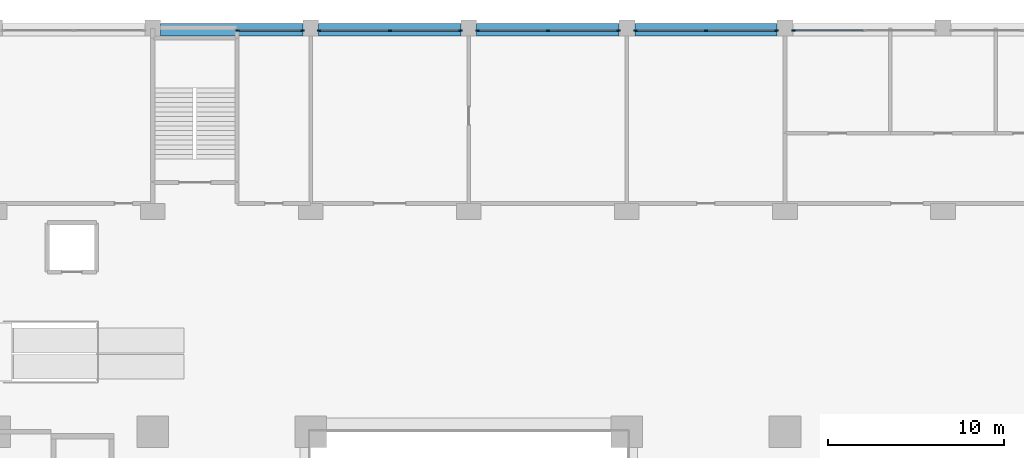
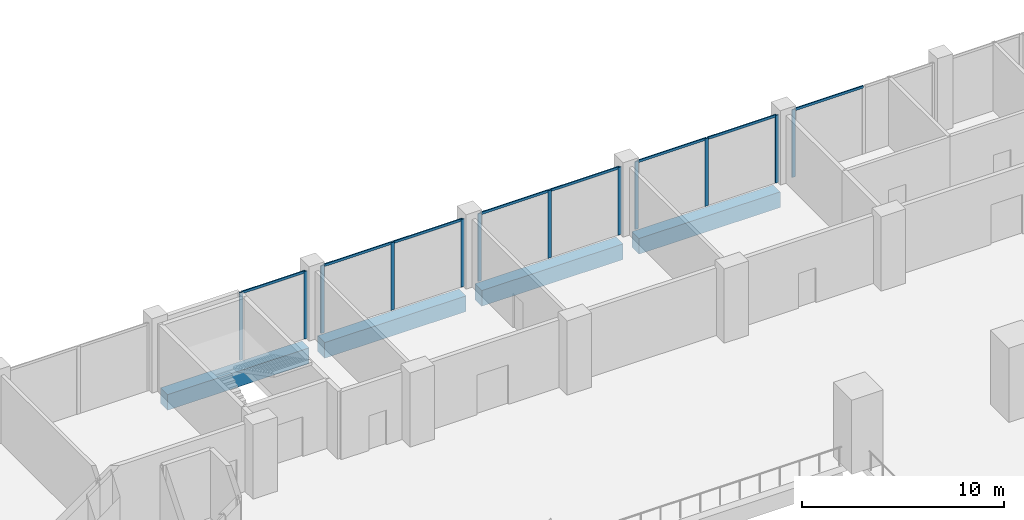
# One storey, part 11 of 22: 20 members, 4 beams, 5 elements without a shape of their own.
"""IFC4 building model written with IfcOpenShell, lengths in metres."""

from ifc_helpers import new_model, si_unit, direction, frame, origin, origin_2d, place, context, subcontext, project, spatial, rectangle, extrude, material, layer, layer_set, material_profile, profile_set, type_object, element, aggregate, save


model = new_model("IFC4")

# Units and contexts
model_context = context("Model", 3, precision=1e-05, world=origin(), true_north=direction((0.0, 1.0)))
body_context = subcontext(model_context, "Body", "Model", "MODEL_VIEW")
ifc_project = project(units=[si_unit("LENGTHUNIT", "METRE"), si_unit("AREAUNIT", "SQUARE_METRE"), si_unit("VOLUMEUNIT", "CUBIC_METRE"), si_unit("PLANEANGLEUNIT", "RADIAN"), si_unit("MASSUNIT", "GRAM", prefix="KILO")], contexts=[model_context])

# Site, building, storey
site_placement = place(None, origin())
site = spatial("IfcSite", under=ifc_project, at=site_placement, CompositionType="ELEMENT")
building_placement = place(site_placement, origin())
building = spatial("IfcBuilding", under=site, at=building_placement, Name="Brigalow Station Residences", CompositionType="ELEMENT")
storey_placement = place(building_placement, frame((0.0, 0.0, 6.5)))
storey = spatial("IfcBuildingStorey", under=building, at=storey_placement, Name="L01", CompositionType="ELEMENT", Elevation=6.5)

# Beams
ifc_material_1 = material(Name="Concrete C65", Category="concrete")
ifc_material_profile_1 = material_profile(ifc_material_1, rectangle(XDim=0.699951171875, YDim=0.949951171875, at=origin_2d()), Name="RC700x950")
ifc_profile_set_1 = profile_set([ifc_material_profile_1], Name="Concrete C65")
beam_type = type_object("IfcBeamType", Name="EDGE GIRDER 4.5 TO 9.9 M SPAN 700x950 C65", PredefinedType="BEAM", material=ifc_profile_set_1)
for number, where, z_axis, x_axis, name in (
    (1, (18.449951171875, 58.39990234375, -0.876953125), (1.0, 0.0, 0.0), (0.0, 1.0, 0.0), "PODIUM EDGE GIRDER N23 L01"),
    (2, (27.449951171875, 58.39990234375, -0.876953125), (1.0, 0.0, 0.0), (0.0, 1.0, 0.0), "PODIUM EDGE GIRDER N24 L01"),
    (3, (36.449951171875, 58.39990234375, -0.876953125), (1.0, 0.0, 0.0), (0.0, 1.0, 0.0), "PODIUM EDGE GIRDER N25 L01"),
    (4, (45.449951171875, 58.39990234375, -0.876953125), (1.0, 0.0, 0.0), (0.0, 1.0, 0.0), "PODIUM EDGE GIRDER N26 L01"),
):
    element("IfcBeam", number, at=place(storey_placement, frame(where, z_axis=z_axis, x_axis=x_axis)), inside=storey, type_object=beam_type, Name=name, PredefinedType="BEAM", context=body_context, shape_type="SweptSolid", body=[
        extrude(rectangle(XDim=0.699951171875, YDim=0.949951171875, at=origin_2d()), origin(), (0.0, 0.0, 1.0), 8.10009765625),
    ])

# Curtain wall, member
ifc_material_2 = material(Name="Aluminium", Category="aluminium")
ifc_layer = layer(ifc_material_2, 0.199951171875)
ifc_layer_set = layer_set([ifc_layer], Name="PODIUM UNITISED GLAZING CURTAIN WALL")
curtain_wall_type = type_object("IfcCurtainWallType", Name="PODIUM UNITISED GLAZING CURTAIN WALL", PredefinedType="NOTDEFINED", material=ifc_layer_set)
curtain_wall_1_placement = place(storey_placement, origin())
curtain_wall_1 = element("IfcCurtainWall", 5, at=curtain_wall_1_placement, inside=storey, type_object=curtain_wall_type, Name="L01/cw/podium-W-L01-19-9", PredefinedType="NOTDEFINED")
ifc_material_3 = material(Name="Aluminium", Category="aluminium")
ifc_material_profile_2 = material_profile(ifc_material_3, rectangle(XDim=0.06494140625, YDim=0.199951171875, at=origin_2d()), Name="PODIUM UNITISED GLAZING MULLION 65x200")
ifc_profile_set_2 = profile_set([ifc_material_profile_2], Name="Aluminium")
member_type_1 = type_object("IfcMemberType", Name="PODIUM UNITISED GLAZING MULLION 65x200", PredefinedType="MULLION", material=ifc_profile_set_2)
member_1_placement = place(storey_placement, frame((54.482421875, 58.35009765625, 0.0), z_axis=(0.0, 0.0, 1.0), x_axis=(0.0, -1.0, 0.0)))
member_1 = element("IfcMember", 6, at=member_1_placement, type_object=member_type_1, Name="L01/cw/podium-W-L01-19-9/M02", PredefinedType="MULLION", context=body_context, shape_type="SweptSolid", body=[
    extrude(rectangle(XDim=0.06494140625, YDim=0.199951171875, at=origin_2d()), origin(), (0.0, 0.0, 1.0), 4.097900390625),
])

# Curtain wall, members
curtain_wall_2_placement = place(storey_placement, origin())
curtain_wall_2 = element("IfcCurtainWall", 7, at=curtain_wall_2_placement, inside=storey, type_object=curtain_wall_type, Name="L01/cw/podium-W-L01-19-10", PredefinedType="NOTDEFINED")
member_2_placement = place(storey_placement, frame((53.517578125, 58.35009765625, 0.0), z_axis=(0.0, 0.0, 1.0), x_axis=(0.0, -1.0, 0.0)))
member_2 = element("IfcMember", 8, at=member_2_placement, type_object=member_type_1, Name="L01/cw/podium-W-L01-19-10/M00", PredefinedType="MULLION", context=body_context, shape_type="SweptSolid", body=[
    extrude(rectangle(XDim=0.06494140625, YDim=0.199951171875, at=origin_2d()), origin(), (0.0, 0.0, 1.0), 4.097900390625),
])
member_3_placement = place(storey_placement, frame((49.5, 58.35009765625, 0.0), z_axis=(0.0, 0.0, 1.0), x_axis=(0.0, -1.0, 0.0)))
member_3 = element("IfcMember", 9, at=member_3_placement, type_object=member_type_1, Name="L01/cw/podium-W-L01-19-10/M01", PredefinedType="MULLION", context=body_context, shape_type="SweptSolid", body=[
    extrude(rectangle(XDim=0.06494140625, YDim=0.199951171875, at=origin_2d()), origin(), (0.0, 0.0, 1.0), 4.097900390625),
])
member_4_placement = place(storey_placement, frame((45.482421875, 58.35009765625, 0.0), z_axis=(0.0, 0.0, 1.0), x_axis=(0.0, -1.0, 0.0)))
member_4 = element("IfcMember", 10, at=member_4_placement, type_object=member_type_1, Name="L01/cw/podium-W-L01-19-10/M02", PredefinedType="MULLION", context=body_context, shape_type="SweptSolid", body=[
    extrude(rectangle(XDim=0.06494140625, YDim=0.199951171875, at=origin_2d()), origin(), (0.0, 0.0, 1.0), 4.097900390625),
])

curtain_wall_3_placement = place(storey_placement, origin())
curtain_wall_3 = element("IfcCurtainWall", 11, at=curtain_wall_3_placement, inside=storey, type_object=curtain_wall_type, Name="L01/cw/podium-W-L01-19-11", PredefinedType="NOTDEFINED")
member_5_placement = place(storey_placement, frame((44.517578125, 58.35009765625, 0.0), z_axis=(0.0, 0.0, 1.0), x_axis=(0.0, -1.0, 0.0)))
member_5 = element("IfcMember", 12, at=member_5_placement, type_object=member_type_1, Name="L01/cw/podium-W-L01-19-11/M00", PredefinedType="MULLION", context=body_context, shape_type="SweptSolid", body=[
    extrude(rectangle(XDim=0.06494140625, YDim=0.199951171875, at=origin_2d()), origin(), (0.0, 0.0, 1.0), 4.097900390625),
])
member_6_placement = place(storey_placement, frame((40.5, 58.35009765625, 0.0), z_axis=(0.0, 0.0, 1.0), x_axis=(0.0, -1.0, 0.0)))
member_6 = element("IfcMember", 13, at=member_6_placement, type_object=member_type_1, Name="L01/cw/podium-W-L01-19-11/M01", PredefinedType="MULLION", context=body_context, shape_type="SweptSolid", body=[
    extrude(rectangle(XDim=0.06494140625, YDim=0.199951171875, at=origin_2d()), origin(), (0.0, 0.0, 1.0), 4.097900390625),
])
member_7_placement = place(storey_placement, frame((36.482421875, 58.35009765625, 0.0), z_axis=(0.0, 0.0, 1.0), x_axis=(0.0, -1.0, 0.0)))
member_7 = element("IfcMember", 14, at=member_7_placement, type_object=member_type_1, Name="L01/cw/podium-W-L01-19-11/M02", PredefinedType="MULLION", context=body_context, shape_type="SweptSolid", body=[
    extrude(rectangle(XDim=0.06494140625, YDim=0.199951171875, at=origin_2d()), origin(), (0.0, 0.0, 1.0), 4.097900390625),
])

curtain_wall_4_placement = place(storey_placement, origin())
curtain_wall_4 = element("IfcCurtainWall", 15, at=curtain_wall_4_placement, inside=storey, type_object=curtain_wall_type, Name="L01/cw/podium-W-L01-19-12", PredefinedType="NOTDEFINED")
member_8_placement = place(storey_placement, frame((35.517578125, 58.35009765625, 0.0), z_axis=(0.0, 0.0, 1.0), x_axis=(0.0, -1.0, 0.0)))
member_8 = element("IfcMember", 16, at=member_8_placement, type_object=member_type_1, Name="L01/cw/podium-W-L01-19-12/M00", PredefinedType="MULLION", context=body_context, shape_type="SweptSolid", body=[
    extrude(rectangle(XDim=0.06494140625, YDim=0.199951171875, at=origin_2d()), origin(), (0.0, 0.0, 1.0), 4.097900390625),
])
member_9_placement = place(storey_placement, frame((31.5, 58.35009765625, 0.0), z_axis=(0.0, 0.0, 1.0), x_axis=(0.0, -1.0, 0.0)))
member_9 = element("IfcMember", 17, at=member_9_placement, type_object=member_type_1, Name="L01/cw/podium-W-L01-19-12/M01", PredefinedType="MULLION", context=body_context, shape_type="SweptSolid", body=[
    extrude(rectangle(XDim=0.06494140625, YDim=0.199951171875, at=origin_2d()), origin(), (0.0, 0.0, 1.0), 4.097900390625),
])
member_10_placement = place(storey_placement, frame((27.482421875, 58.35009765625, 0.0), z_axis=(0.0, 0.0, 1.0), x_axis=(0.0, -1.0, 0.0)))
member_10 = element("IfcMember", 18, at=member_10_placement, type_object=member_type_1, Name="L01/cw/podium-W-L01-19-12/M02", PredefinedType="MULLION", context=body_context, shape_type="SweptSolid", body=[
    extrude(rectangle(XDim=0.06494140625, YDim=0.199951171875, at=origin_2d()), origin(), (0.0, 0.0, 1.0), 4.097900390625),
])

curtain_wall_5_placement = place(storey_placement, origin())
curtain_wall_5 = element("IfcCurtainWall", 19, at=curtain_wall_5_placement, inside=storey, type_object=curtain_wall_type, Name="L01/cw/podium-W-L01-19-13", PredefinedType="NOTDEFINED")
member_11_placement = place(storey_placement, frame((26.517578125, 58.35009765625, 0.0), z_axis=(0.0, 0.0, 1.0), x_axis=(0.0, -1.0, 0.0)))
member_11 = element("IfcMember", 20, at=member_11_placement, type_object=member_type_1, Name="L01/cw/podium-W-L01-19-13/M00", PredefinedType="MULLION", context=body_context, shape_type="SweptSolid", body=[
    extrude(rectangle(XDim=0.06494140625, YDim=0.199951171875, at=origin_2d()), origin(), (0.0, 0.0, 1.0), 4.097900390625),
])
member_12_placement = place(storey_placement, frame((22.83251953125, 58.35009765625, 0.0), z_axis=(0.0, 0.0, 1.0), x_axis=(0.0, -1.0, 0.0)))
member_12 = element("IfcMember", 21, at=member_12_placement, type_object=member_type_1, Name="L01/cw/podium-W-L01-19-13/M01", PredefinedType="MULLION", context=body_context, shape_type="SweptSolid", body=[
    extrude(rectangle(XDim=0.06494140625, YDim=0.199951171875, at=origin_2d()), origin(), (0.0, 0.0, 1.0), 4.097900390625),
])

# Member
ifc_material_4 = material(Name="Aluminium", Category="aluminium")
ifc_material_profile_3 = material_profile(ifc_material_4, rectangle(XDim=0.06494140625, YDim=0.14990234375, at=origin_2d()), Name="PODIUM UNITISED GLAZING TRANSOM 65x150")
ifc_profile_set_3 = profile_set([ifc_material_profile_3], Name="Aluminium")
member_type_2 = type_object("IfcMemberType", Name="PODIUM UNITISED GLAZING TRANSOM 65x150", PredefinedType="USERDEFINED", material=ifc_profile_set_3)
member_13_placement = place(storey_placement, frame((58.467529296875, 58.35009765625, 4.0654296875), z_axis=(-1.0, 0.0, 0.0), x_axis=(0.0, -1.0, 0.0)))
member_13 = element("IfcMember", 22, at=member_13_placement, type_object=member_type_2, Name="L01/cw/podium-W-L01-19-9/T01-00", ObjectType="TRANSOM", PredefinedType="USERDEFINED", context=body_context, shape_type="SweptSolid", body=[
    extrude(rectangle(XDim=0.06494140625, YDim=0.14990234375, at=origin_2d()), origin(), (0.0, 0.0, 1.0), 3.95263671875),
])

aggregate(curtain_wall_1, [member_1, member_13])

member_14_placement = place(storey_placement, frame((53.485107421875, 58.35009765625, 4.0654296875), z_axis=(-1.0, 0.0, 0.0), x_axis=(0.0, -1.0, 0.0)))
member_14 = element("IfcMember", 23, at=member_14_placement, type_object=member_type_2, Name="L01/cw/podium-W-L01-19-10/T00-00", ObjectType="TRANSOM", PredefinedType="USERDEFINED", context=body_context, shape_type="SweptSolid", body=[
    extrude(rectangle(XDim=0.06494140625, YDim=0.14990234375, at=origin_2d()), origin(), (0.0, 0.0, 1.0), 3.95263671875),
])

member_15_placement = place(storey_placement, frame((49.467529296875, 58.35009765625, 4.0654296875), z_axis=(-1.0, 0.0, 0.0), x_axis=(0.0, -1.0, 0.0)))
member_15 = element("IfcMember", 24, at=member_15_placement, type_object=member_type_2, Name="L01/cw/podium-W-L01-19-10/T01-00", ObjectType="TRANSOM", PredefinedType="USERDEFINED", context=body_context, shape_type="SweptSolid", body=[
    extrude(rectangle(XDim=0.06494140625, YDim=0.14990234375, at=origin_2d()), origin(), (0.0, 0.0, 1.0), 3.95263671875),
])

aggregate(curtain_wall_2, [member_2, member_3, member_4, member_14, member_15])

member_16_placement = place(storey_placement, frame((44.485107421875, 58.35009765625, 4.0654296875), z_axis=(-1.0, 0.0, 0.0), x_axis=(0.0, -1.0, 0.0)))
member_16 = element("IfcMember", 25, at=member_16_placement, type_object=member_type_2, Name="L01/cw/podium-W-L01-19-11/T00-00", ObjectType="TRANSOM", PredefinedType="USERDEFINED", context=body_context, shape_type="SweptSolid", body=[
    extrude(rectangle(XDim=0.06494140625, YDim=0.14990234375, at=origin_2d()), origin(), (0.0, 0.0, 1.0), 3.95263671875),
])

member_17_placement = place(storey_placement, frame((40.467529296875, 58.35009765625, 4.0654296875), z_axis=(-1.0, 0.0, 0.0), x_axis=(0.0, -1.0, 0.0)))
member_17 = element("IfcMember", 26, at=member_17_placement, type_object=member_type_2, Name="L01/cw/podium-W-L01-19-11/T01-00", ObjectType="TRANSOM", PredefinedType="USERDEFINED", context=body_context, shape_type="SweptSolid", body=[
    extrude(rectangle(XDim=0.06494140625, YDim=0.14990234375, at=origin_2d()), origin(), (0.0, 0.0, 1.0), 3.95263671875),
])

aggregate(curtain_wall_3, [member_5, member_6, member_7, member_16, member_17])

member_18_placement = place(storey_placement, frame((35.485107421875, 58.35009765625, 4.0654296875), z_axis=(-1.0, 0.0, 0.0), x_axis=(0.0, -1.0, 0.0)))
member_18 = element("IfcMember", 27, at=member_18_placement, type_object=member_type_2, Name="L01/cw/podium-W-L01-19-12/T00-00", ObjectType="TRANSOM", PredefinedType="USERDEFINED", context=body_context, shape_type="SweptSolid", body=[
    extrude(rectangle(XDim=0.06494140625, YDim=0.14990234375, at=origin_2d()), origin(), (0.0, 0.0, 1.0), 3.95263671875),
])

member_19_placement = place(storey_placement, frame((31.467529296875, 58.35009765625, 4.0654296875), z_axis=(-1.0, 0.0, 0.0), x_axis=(0.0, -1.0, 0.0)))
member_19 = element("IfcMember", 28, at=member_19_placement, type_object=member_type_2, Name="L01/cw/podium-W-L01-19-12/T01-00", ObjectType="TRANSOM", PredefinedType="USERDEFINED", context=body_context, shape_type="SweptSolid", body=[
    extrude(rectangle(XDim=0.06494140625, YDim=0.14990234375, at=origin_2d()), origin(), (0.0, 0.0, 1.0), 3.95263671875),
])

aggregate(curtain_wall_4, [member_8, member_9, member_10, member_18, member_19])

member_20_placement = place(storey_placement, frame((26.485107421875, 58.35009765625, 4.0654296875), z_axis=(-1.0, 0.0, 0.0), x_axis=(0.0, -1.0, 0.0)))
member_20 = element("IfcMember", 29, at=member_20_placement, type_object=member_type_2, Name="L01/cw/podium-W-L01-19-13/T00-00", ObjectType="TRANSOM", PredefinedType="USERDEFINED", context=body_context, shape_type="SweptSolid", body=[
    extrude(rectangle(XDim=0.06494140625, YDim=0.14990234375, at=origin_2d()), origin(), (0.0, 0.0, 1.0), 3.6201171875),
])

aggregate(curtain_wall_5, [member_11, member_12, member_20])

save(model, "model.ifc")
